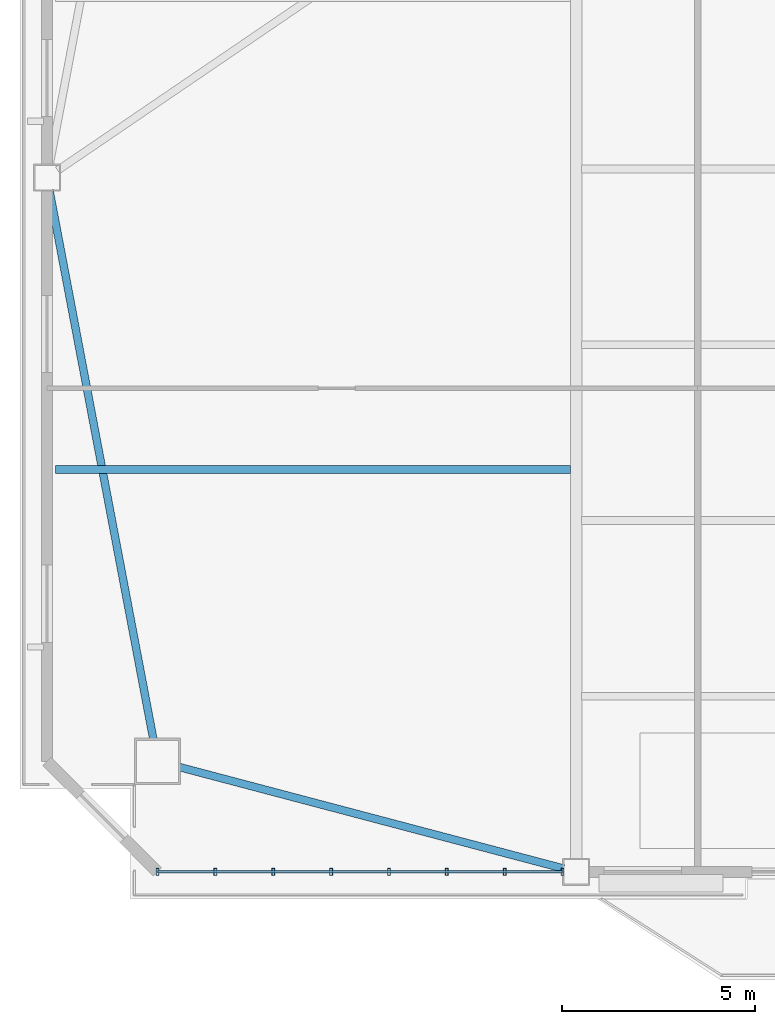
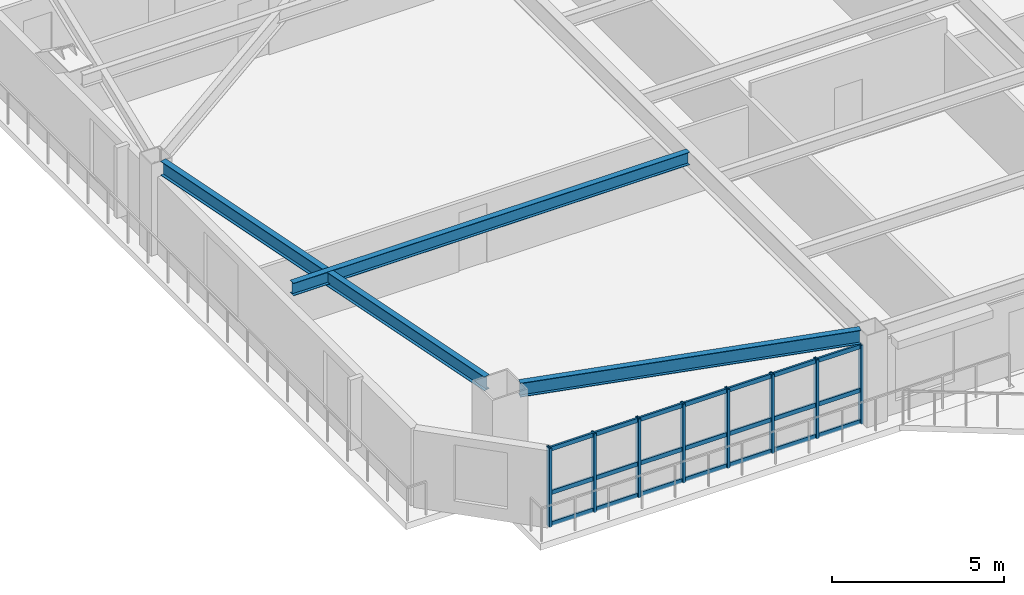
# One storey, part 2 of 15: 11 members, 3 beams, 1 element without a shape of its own.
"""IFC4 building model written with IfcOpenShell, lengths in metres."""

from ifc_helpers import new_model, si_unit, direction, frame, origin, origin_2d, place, context, subcontext, project, spatial, hollow_rectangle, i_section, extrude, source, transform, mapped, material, layer, layer_set, material_profile, profile_set, type_object, element, aggregate, save


model = new_model("IFC4")

# Units and contexts
model_context = context("Model", 3, precision=1e-05, world=origin(), true_north=direction((0.0, 1.0)))
body_context = subcontext(model_context, "Body", "Model", "MODEL_VIEW")
ifc_project = project(units=[si_unit("LENGTHUNIT", "METRE"), si_unit("AREAUNIT", "SQUARE_METRE"), si_unit("VOLUMEUNIT", "CUBIC_METRE"), si_unit("PLANEANGLEUNIT", "RADIAN"), si_unit("MASSUNIT", "GRAM", prefix="KILO")], contexts=[model_context])

# Site, building, storey
site_placement = place(None, origin())
site = spatial("IfcSite", under=ifc_project, at=site_placement, CompositionType="ELEMENT")
building_placement = place(site_placement, origin())
building = spatial("IfcBuilding", under=site, at=building_placement, Name="Giltprow Tower", CompositionType="ELEMENT")
storey_placement = place(building_placement, frame((0.0, 0.0, 184.199951171875)))
storey = spatial("IfcBuildingStorey", under=building, at=storey_placement, Name="L46", CompositionType="ELEMENT", Elevation=184.199951171875)

# Beams
ifc_material_1 = material(Name="Structural steel Q355B", Category="steel")
ifc_material_profile_1 = material_profile(ifc_material_1, i_section(OverallWidth=0.199951171875, OverallDepth=0.5, WebThickness=0.010009765625, FlangeThickness=0.01611328125, at=origin_2d()), Name="HN 500x200x10x16")
ifc_profile_set_1 = profile_set([ifc_material_profile_1], Name="Structural steel Q355B")
beam_type_1 = type_object("IfcBeamType", Name="BM-SPAN-HN500", PredefinedType="SPANDREL", material=ifc_profile_set_1)
shared_shape_1 = source(origin(), body_context, "Body", "SweptSolid", [
    extrude(i_section(OverallWidth=0.199951171875, OverallDepth=0.5, WebThickness=0.010009765625, FlangeThickness=0.01611328125, at=origin_2d()), origin(), (0.0, 0.0, 1.0), 10.28564453125),
])
beam_1_placement = place(storey_placement, frame((9.5810546875, 12.865966796875, 3.02001953125), z_axis=(0.966860819622, -0.255304045168, 0.0), x_axis=(0.255304045168, 0.966860819622, 0.0)))
element("IfcBeam", 1, at=beam_1_placement, inside=storey, type_object=beam_type_1, Name="L46 Perimeter Spandrel Beam MC_SW-S1", PredefinedType="SPANDREL", context=body_context, shape_type="MappedRepresentation", body=[
    mapped(shared_shape_1, transform((0.0, 0.0, 0.0), x_axis=(1.0, 0.0, 0.0), y_axis=(0.0, 1.0, 0.0), z_axis=(0.0, 0.0, 1.0), scale=1.0)),
])
shared_shape_2 = source(origin(), body_context, "Body", "SweptSolid", [
    extrude(i_section(OverallWidth=0.199951171875, OverallDepth=0.5, WebThickness=0.010009765625, FlangeThickness=0.01611328125, at=origin_2d()), origin(), (0.0, 0.0, 1.0), 14.46044921875),
])
beam_2_placement = place(storey_placement, frame((6.216064453125, 27.798095703125, 3.02001953125), z_axis=(0.186021185186, -0.982545733624, 0.0), x_axis=(0.982545733624, 0.186021185186, 0.0)))
element("IfcBeam", 2, at=beam_2_placement, inside=storey, type_object=beam_type_1, Name="L46 Perimeter Spandrel Beam W_MID-MC_SW", PredefinedType="SPANDREL", context=body_context, shape_type="MappedRepresentation", body=[
    mapped(shared_shape_2, transform((0.0, 0.0, 0.0), x_axis=(1.0, 0.0, 0.0), y_axis=(0.0, 1.0, 0.0), z_axis=(0.0, 0.0, 1.0), scale=1.0)),
])
ifc_material_profile_2 = material_profile(ifc_material_1, i_section(OverallWidth=0.199951171875, OverallDepth=0.449951171875, WebThickness=0.009033203125, FlangeThickness=0.013916015625, at=origin_2d()), Name="HN 450x200x9x14")
ifc_profile_set_2 = profile_set([ifc_material_profile_2], Name="Structural steel Q355B")
beam_type_2 = type_object("IfcBeamType", Name="BM-JOIST-HN450", PredefinedType="JOIST", material=ifc_profile_set_2)
shared_shape_3 = source(origin(), body_context, "Body", "SweptSolid", [
    extrude(i_section(OverallWidth=0.199951171875, OverallDepth=0.449951171875, WebThickness=0.009033203125, FlangeThickness=0.013916015625, at=origin_2d()), origin(), (0.0, 0.0, 1.0), 13.3310546875),
])
beam_3_placement = place(storey_placement, frame((6.3740234375, 20.571044921875, 3.045166015625), z_axis=(1.0, 0.0, 0.0), x_axis=(0.0, 1.0, 0.0)))
element("IfcBeam", 3, at=beam_3_placement, inside=storey, type_object=beam_type_2, Name="L46 West Wing Floor Joist 1", PredefinedType="JOIST", context=body_context, shape_type="MappedRepresentation", body=[
    mapped(shared_shape_3, transform((0.0, 0.0, 0.0), x_axis=(1.0, 0.0, 0.0), y_axis=(0.0, 1.0, 0.0), z_axis=(0.0, 0.0, 1.0), scale=1.0)),
])

# Curtain wall, members
ifc_material_2 = material(Name="Anodized bronze", Category="metal")
ifc_layer = layer(ifc_material_2, 0.179931640625, Name="Anodized bronze")
ifc_layer_set = layer_set([ifc_layer], Name="Anodized bronze")
curtain_wall_type = type_object("IfcCurtainWallType", Name="CW-HTL-BRONZE", PredefinedType="NOTDEFINED", material=ifc_layer_set)
curtain_wall_placement = place(storey_placement, origin())
curtain_wall = element("IfcCurtainWall", 4, at=curtain_wall_placement, inside=storey, type_object=curtain_wall_type, Name="L46 South Recessed Curtain Wall 1", PredefinedType="NOTDEFINED")
ifc_material_profile_3 = material_profile(ifc_material_2, hollow_rectangle(XDim=0.074951171875, YDim=0.179931640625, WallThickness=0.008056640625, at=origin_2d()), Name="RHS 180x75x8")
ifc_profile_set_3 = profile_set([ifc_material_profile_3], Name="Anodized bronze")
member_type_1 = type_object("IfcMemberType", Name="CW-MULLION-180x75", PredefinedType="MULLION", material=ifc_profile_set_3)
shared_shape_4 = source(origin(), body_context, "Body", "SweptSolid", [
    extrude(hollow_rectangle(XDim=0.074951171875, YDim=0.179931640625, WallThickness=0.008056640625, at=origin_2d()), origin(), (0.0, 0.0, 1.0), 2.80517578125),
])
member_1_placement = place(storey_placement, frame((9.014892578125, 10.154052734375, -0.02001953125), z_axis=(0.0, 0.0, 1.0), x_axis=(1.0, 0.0, 0.0)))
member_1 = element("IfcMember", 5, at=member_1_placement, type_object=member_type_1, Name="L46 South Recessed Curtain Wall 1 Mullion 1", PredefinedType="MULLION", context=body_context, shape_type="MappedRepresentation", body=[
    mapped(shared_shape_4, transform((0.0, 0.0, 0.0), x_axis=(1.0, 0.0, 0.0), y_axis=(0.0, 1.0, 0.0), z_axis=(0.0, 0.0, 1.0), scale=1.0)),
])
member_2_placement = place(storey_placement, frame((10.512939453125, 10.154052734375, -0.02001953125), z_axis=(0.0, 0.0, 1.0), x_axis=(1.0, 0.0, 0.0)))
member_2 = element("IfcMember", 6, at=member_2_placement, type_object=member_type_1, Name="L46 South Recessed Curtain Wall 1 Mullion 2", PredefinedType="MULLION", context=body_context, shape_type="MappedRepresentation", body=[
    mapped(shared_shape_4, transform((0.0, 0.0, 0.0), x_axis=(1.0, 0.0, 0.0), y_axis=(0.0, 1.0, 0.0), z_axis=(0.0, 0.0, 1.0), scale=1.0)),
])
member_3_placement = place(storey_placement, frame((12.010986328125, 10.154052734375, -0.02001953125), z_axis=(0.0, 0.0, 1.0), x_axis=(1.0, 0.0, 0.0)))
member_3 = element("IfcMember", 7, at=member_3_placement, type_object=member_type_1, Name="L46 South Recessed Curtain Wall 1 Mullion 3", PredefinedType="MULLION", context=body_context, shape_type="MappedRepresentation", body=[
    mapped(shared_shape_4, transform((0.0, 0.0, 0.0), x_axis=(1.0, 0.0, 0.0), y_axis=(0.0, 1.0, 0.0), z_axis=(0.0, 0.0, 1.0), scale=1.0)),
])
member_4_placement = place(storey_placement, frame((13.509033203125, 10.154052734375, -0.02001953125), z_axis=(0.0, 0.0, 1.0), x_axis=(1.0, 0.0, 0.0)))
member_4 = element("IfcMember", 8, at=member_4_placement, type_object=member_type_1, Name="L46 South Recessed Curtain Wall 1 Mullion 4", PredefinedType="MULLION", context=body_context, shape_type="MappedRepresentation", body=[
    mapped(shared_shape_4, transform((0.0, 0.0, 0.0), x_axis=(1.0, 0.0, 0.0), y_axis=(0.0, 1.0, 0.0), z_axis=(0.0, 0.0, 1.0), scale=1.0)),
])
member_5_placement = place(storey_placement, frame((15.006103515625, 10.154052734375, -0.02001953125), z_axis=(0.0, 0.0, 1.0), x_axis=(1.0, 0.0, 0.0)))
member_5 = element("IfcMember", 9, at=member_5_placement, type_object=member_type_1, Name="L46 South Recessed Curtain Wall 1 Mullion 5", PredefinedType="MULLION", context=body_context, shape_type="MappedRepresentation", body=[
    mapped(shared_shape_4, transform((0.0, 0.0, 0.0), x_axis=(1.0, 0.0, 0.0), y_axis=(0.0, 1.0, 0.0), z_axis=(0.0, 0.0, 1.0), scale=1.0)),
])
member_6_placement = place(storey_placement, frame((16.50390625, 10.154052734375, -0.02001953125), z_axis=(0.0, 0.0, 1.0), x_axis=(1.0, 0.0, 0.0)))
member_6 = element("IfcMember", 10, at=member_6_placement, type_object=member_type_1, Name="L46 South Recessed Curtain Wall 1 Mullion 6", PredefinedType="MULLION", context=body_context, shape_type="MappedRepresentation", body=[
    mapped(shared_shape_4, transform((0.0, 0.0, 0.0), x_axis=(1.0, 0.0, 0.0), y_axis=(0.0, 1.0, 0.0), z_axis=(0.0, 0.0, 1.0), scale=1.0)),
])
member_7_placement = place(storey_placement, frame((18.001953125, 10.154052734375, -0.02001953125), z_axis=(0.0, 0.0, 1.0), x_axis=(1.0, 0.0, 0.0)))
member_7 = element("IfcMember", 11, at=member_7_placement, type_object=member_type_1, Name="L46 South Recessed Curtain Wall 1 Mullion 7", PredefinedType="MULLION", context=body_context, shape_type="MappedRepresentation", body=[
    mapped(shared_shape_4, transform((0.0, 0.0, 0.0), x_axis=(1.0, 0.0, 0.0), y_axis=(0.0, 1.0, 0.0), z_axis=(0.0, 0.0, 1.0), scale=1.0)),
])
member_8_placement = place(storey_placement, frame((19.5, 10.154052734375, -0.02001953125), z_axis=(0.0, 0.0, 1.0), x_axis=(1.0, 0.0, 0.0)))
member_8 = element("IfcMember", 12, at=member_8_placement, type_object=member_type_1, Name="L46 South Recessed Curtain Wall 1 Mullion 8", PredefinedType="MULLION", context=body_context, shape_type="MappedRepresentation", body=[
    mapped(shared_shape_4, transform((0.0, 0.0, 0.0), x_axis=(1.0, 0.0, 0.0), y_axis=(0.0, 1.0, 0.0), z_axis=(0.0, 0.0, 1.0), scale=1.0)),
])
ifc_material_profile_4 = material_profile(ifc_material_2, hollow_rectangle(XDim=0.06494140625, YDim=0.14990234375, WallThickness=0.006103515625, at=origin_2d()), Name="RHS 150x65x6")
ifc_profile_set_4 = profile_set([ifc_material_profile_4], Name="Anodized bronze")
member_type_2 = type_object("IfcMemberType", Name="CW-TRANSOM-150x65", PredefinedType="USERDEFINED", material=ifc_profile_set_4)
shared_shape_5 = source(origin(), body_context, "Body", "SweptSolid", [
    extrude(hollow_rectangle(XDim=0.06494140625, YDim=0.14990234375, WallThickness=0.006103515625, at=origin_2d()), origin(), (0.0, 0.0, 1.0), 10.485107421875),
])
member_9_placement = place(storey_placement, frame((9.014892578125, 10.154052734375, 0.0400390625), z_axis=(1.0, 0.0, 0.0), x_axis=(0.0, 1.0, 0.0)))
member_9 = element("IfcMember", 13, at=member_9_placement, type_object=member_type_2, Name="L46 South Recessed Curtain Wall 1 Transom 1", ObjectType="TRANSOM", PredefinedType="USERDEFINED", context=body_context, shape_type="MappedRepresentation", body=[
    mapped(shared_shape_5, transform((0.0, 0.0, 0.0), x_axis=(1.0, 0.0, 0.0), y_axis=(0.0, 1.0, 0.0), z_axis=(0.0, 0.0, 1.0), scale=1.0)),
])
member_10_placement = place(storey_placement, frame((9.014892578125, 10.154052734375, 1.155029296875), z_axis=(1.0, 0.0, 0.0), x_axis=(0.0, 1.0, 0.0)))
member_10 = element("IfcMember", 14, at=member_10_placement, type_object=member_type_2, Name="L46 South Recessed Curtain Wall 1 Transom 2", ObjectType="TRANSOM", PredefinedType="USERDEFINED", context=body_context, shape_type="MappedRepresentation", body=[
    mapped(shared_shape_5, transform((0.0, 0.0, 0.0), x_axis=(1.0, 0.0, 0.0), y_axis=(0.0, 1.0, 0.0), z_axis=(0.0, 0.0, 1.0), scale=1.0)),
])
member_11_placement = place(storey_placement, frame((9.014892578125, 10.154052734375, 2.7099609375), z_axis=(1.0, 0.0, 0.0), x_axis=(0.0, 1.0, 0.0)))
member_11 = element("IfcMember", 15, at=member_11_placement, type_object=member_type_2, Name="L46 South Recessed Curtain Wall 1 Transom 3", ObjectType="TRANSOM", PredefinedType="USERDEFINED", context=body_context, shape_type="MappedRepresentation", body=[
    mapped(shared_shape_5, transform((0.0, 0.0, 0.0), x_axis=(1.0, 0.0, 0.0), y_axis=(0.0, 1.0, 0.0), z_axis=(0.0, 0.0, 1.0), scale=1.0)),
])
aggregate(curtain_wall, [member_1, member_2, member_3, member_4, member_5, member_6, member_7, member_8, member_9, member_10, member_11])

save(model, "model.ifc")
